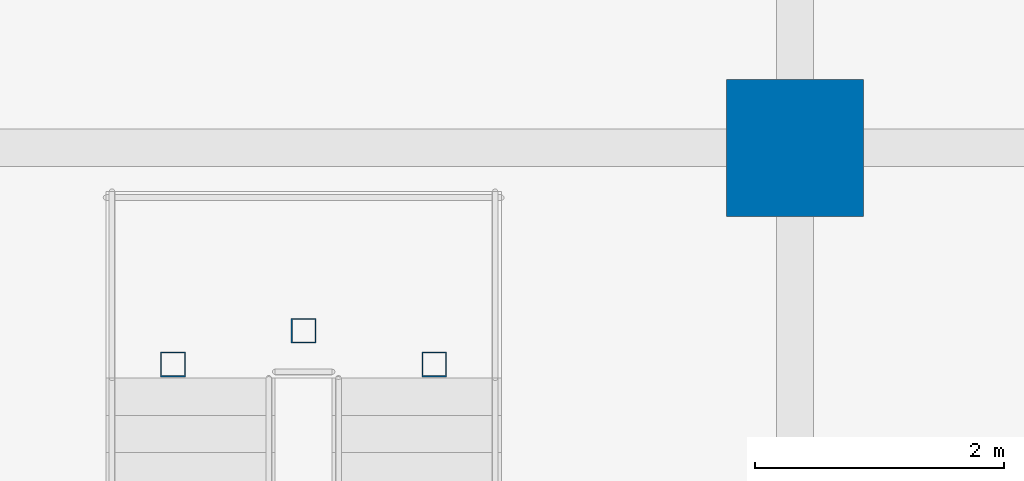
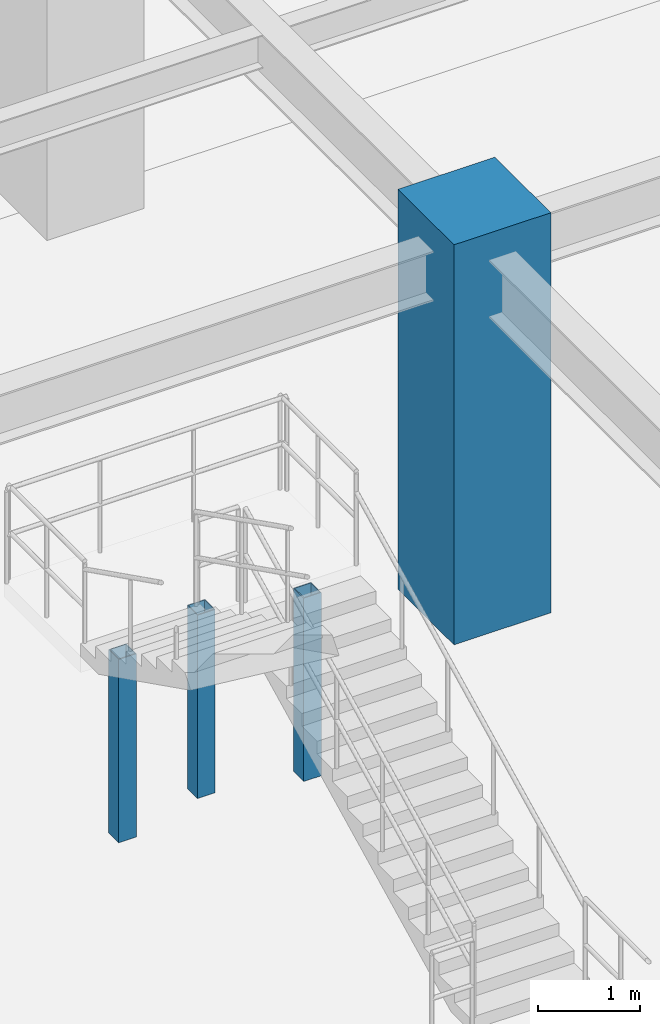
# One storey, part 2 of 125: 4 columns.
"""IFC4 building model written with IfcOpenShell, lengths in metres."""

from ifc_helpers import new_model, si_unit, direction, frame, origin, origin_2d, place, context, subcontext, project, spatial, rectangle, hollow_rectangle, extrude, material, material_profile, profile_set, type_object, element, save


model = new_model("IFC4")

# Units and contexts
model_context = context("Model", 3, precision=1e-05, world=origin(), true_north=direction((0.0, 1.0)))
body_context = subcontext(model_context, "Body", "Model", "MODEL_VIEW")
ifc_project = project(units=[si_unit("LENGTHUNIT", "METRE"), si_unit("AREAUNIT", "SQUARE_METRE"), si_unit("VOLUMEUNIT", "CUBIC_METRE"), si_unit("PLANEANGLEUNIT", "RADIAN"), si_unit("MASSUNIT", "GRAM", prefix="KILO")], contexts=[model_context])

# Site, building, storey
site_placement = place(None, origin())
site = spatial("IfcSite", under=ifc_project, at=site_placement, CompositionType="ELEMENT")
building_placement = place(site_placement, origin())
building = spatial("IfcBuilding", under=site, at=building_placement, Name="Haebicheon Civic Stadium", CompositionType="ELEMENT")
storey_placement = place(building_placement, origin())
storey = spatial("IfcBuildingStorey", under=building, at=storey_placement, Name="L01", CompositionType="ELEMENT", Elevation=0.0)

# Columns
ifc_material_1 = material(Name="Concrete C40/50", Category="concrete")
ifc_material_profile_1 = material_profile(ifc_material_1, rectangle(XDim=1.10009765625, YDim=1.10009765625, at=origin_2d()), Name="RC-COL-1100x1100")
ifc_profile_set_1 = profile_set([ifc_material_profile_1], Name="Concrete C40/50")
column_type_1 = type_object("IfcColumnType", Name="COL-RC-1100", PredefinedType="COLUMN", material=ifc_profile_set_1)
column_placement = place(storey_placement, frame((56.0, 56.0, 0.0), z_axis=(0.0, 0.0, 1.0), x_axis=(1.0, 0.0, 0.0)))
element("IfcColumn", 1, at=column_placement, inside=storey, type_object=column_type_1, material=ifc_profile_set_1, Name="L01 column 8/H", PredefinedType="COLUMN", context=body_context, shape_type="SweptSolid", body=[
    extrude(rectangle(XDim=1.10009765625, YDim=1.10009765625, at=origin_2d()), origin(), (0.0, 0.0, 1.0), 4.800048828125),
])
ifc_material_2 = material(Name="Steel SM355 (S355)", Category="steel")
ifc_material_profile_2 = material_profile(ifc_material_2, hollow_rectangle(XDim=0.199951171875, YDim=0.199951171875, WallThickness=0.009033203125, at=origin_2d()), Name="RHS-200x200x9.0")
ifc_profile_set_2 = profile_set([ifc_material_profile_2], Name="Steel SM355 (S355)")
column_type_2 = type_object("IfcColumnType", Name="COL-ST-RHS200", PredefinedType="COLUMN", material=ifc_profile_set_2)
for number, where, z_axis, x_axis, name in (
    (2, (51.0, 54.260009765625, 0.0), (0.0, 0.0, 1.0), (1.0, 0.0, 0.0), "VM-01 L01 vomitory landing support post A"),
    (3, (53.10009765625, 54.260009765625, 0.0), (0.0, 0.0, 1.0), (1.0, 0.0, 0.0), "VM-01 L01 vomitory landing support post B"),
    (4, (52.050048828125, 54.530029296875, 0.0), (0.0, 0.0, 1.0), (1.0, 0.0, 0.0), "VM-01 L01 vomitory landing support post C"),
):
    element("IfcColumn", number, at=place(storey_placement, frame(where, z_axis=z_axis, x_axis=x_axis)), inside=storey, type_object=column_type_2, material=ifc_profile_set_2, Name=name, PredefinedType="COLUMN", context=body_context, shape_type="SweptSolid", body=[
        extrude(hollow_rectangle(XDim=0.199951171875, YDim=0.199951171875, WallThickness=0.009033203125, at=origin_2d()), origin(), (0.0, 0.0, 1.0), 2.199951171875),
    ])

save(model, "model.ifc")
